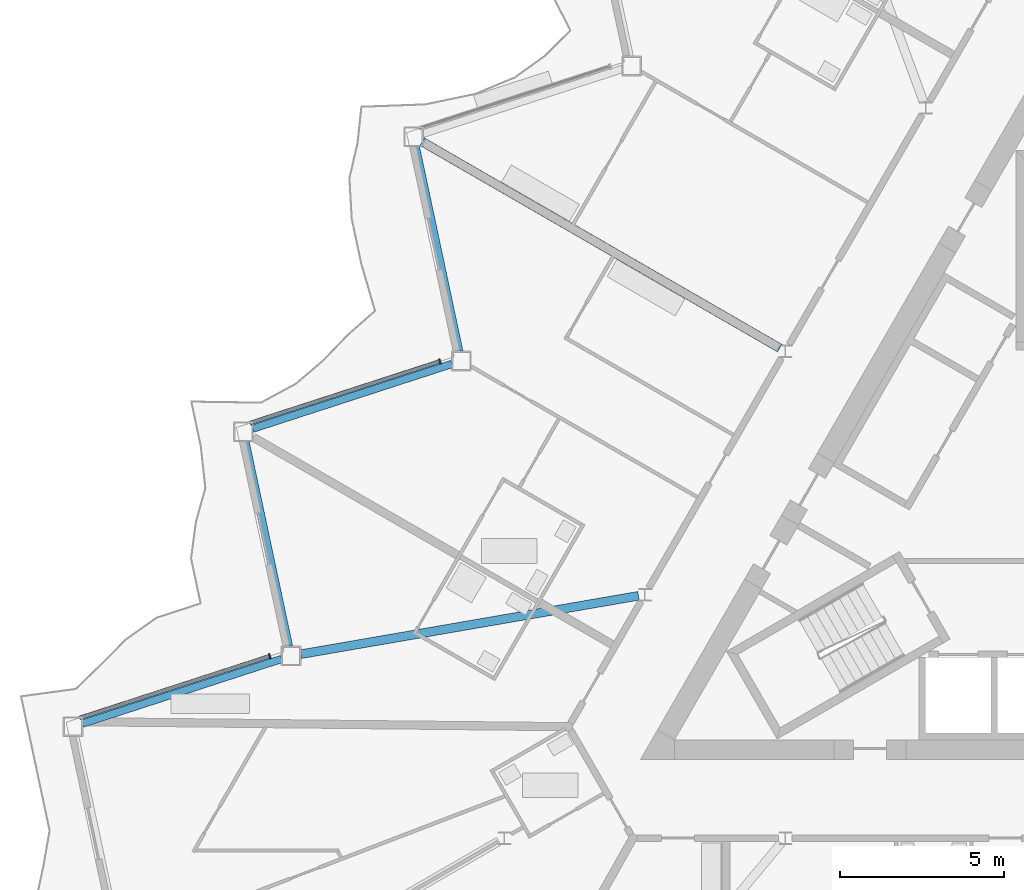
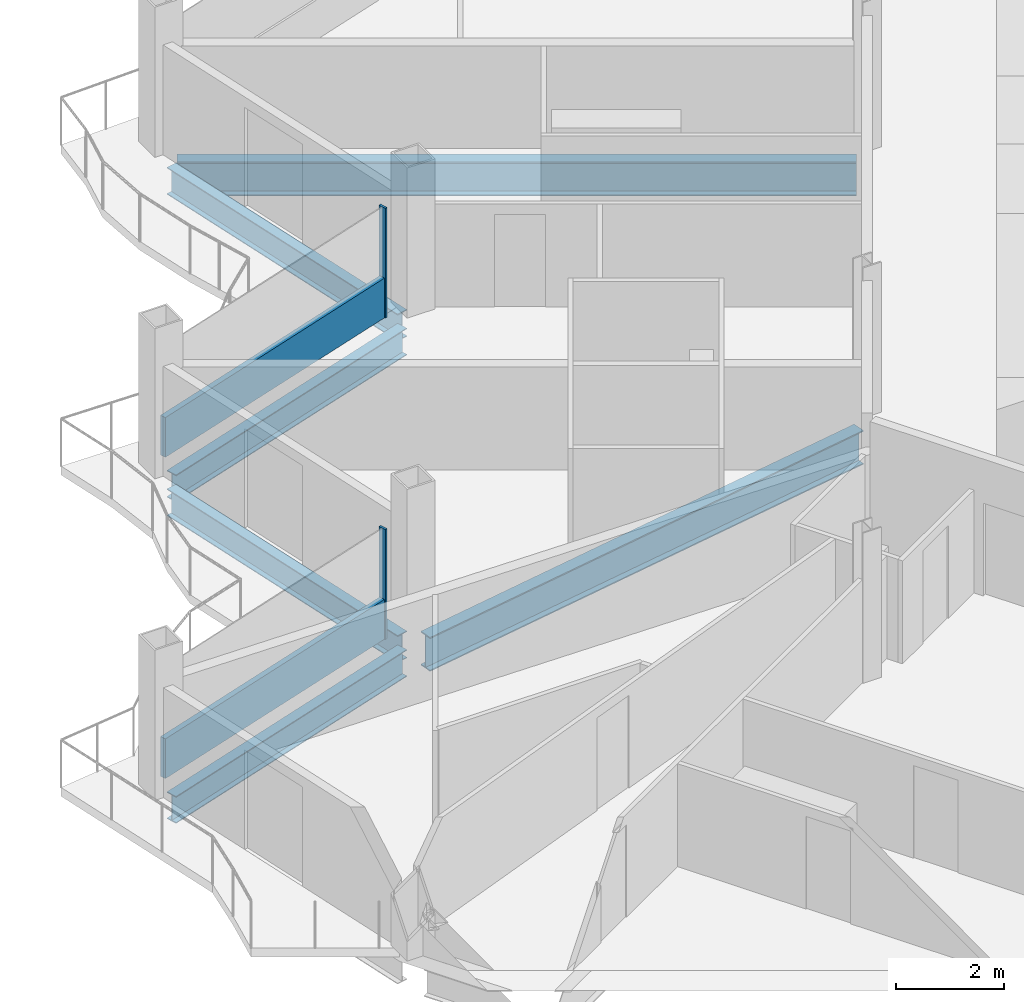
# One storey, part 6 of 27: 6 beams, 4 members, 2 elements without a shape of their own.
"""IFC4 building model written with IfcOpenShell, lengths in metres."""

from ifc_helpers import new_model, si_unit, direction, frame, origin, origin_2d, place, context, subcontext, project, spatial, rectangle, i_section, extrude, material, layer, layer_set, material_profile, profile_set, type_object, element, aggregate, save


model = new_model("IFC4")

# Units and contexts
model_context = context("Model", 3, precision=1e-05, world=origin(), true_north=direction((0.0, 1.0)))
body_context = subcontext(model_context, "Body", "Model", "MODEL_VIEW")
ifc_project = project(units=[si_unit("LENGTHUNIT", "METRE"), si_unit("AREAUNIT", "SQUARE_METRE"), si_unit("VOLUMEUNIT", "CUBIC_METRE"), si_unit("PLANEANGLEUNIT", "RADIAN"), si_unit("MASSUNIT", "GRAM", prefix="KILO")], contexts=[model_context])

# Site, building, storey
site_placement = place(None, origin())
site = spatial("IfcSite", under=ifc_project, at=site_placement, CompositionType="ELEMENT")
building_placement = place(site_placement, origin())
building = spatial("IfcBuilding", under=site, at=building_placement, Name="Cormorant Prow Tower", CompositionType="ELEMENT")
storey_placement = place(building_placement, frame((0.0, 0.0, 332.39990234375)))
storey = spatial("IfcBuildingStorey", under=building, at=storey_placement, Name="L74", CompositionType="ELEMENT", Elevation=332.39990234375)

# Beams
ifc_material_1 = material(Name="Structural steel ASTM A992 Gr 50", Category="steel")
ifc_material_profile_1 = material_profile(ifc_material_1, i_section(OverallWidth=0.267822265625, OverallDepth=0.77001953125, WebThickness=0.015625, FlangeThickness=0.025390625, at=origin_2d()), Name="W30x132")
ifc_profile_set_1 = profile_set([ifc_material_profile_1], Name="Structural steel ASTM A992 Gr 50")
beam_type_1 = type_object("IfcBeamType", Name="Radial floor beam W30x132", PredefinedType="BEAM", material=ifc_profile_set_1)
beam_1_placement = place(storey_placement, frame((-8.749755859375, 5.051513671875, -0.684814453125), z_axis=(-0.866021086443, 0.50000747778, 0.0), x_axis=(-0.50000747778, -0.866021086443, 0.0)))
element("IfcBeam", 1, at=beam_1_placement, inside=storey, type_object=beam_type_1, Name="Radial floor beam FB3 3 L74", PredefinedType="BEAM", context=body_context, shape_type="SweptSolid", body=[
    extrude(i_section(OverallWidth=0.267822265625, OverallDepth=0.77001953125, WebThickness=0.015625, FlangeThickness=0.025390625, at=origin_2d()), origin(), (0.0, 0.0, 1.0), 12.604736328125),
])
beam_2_placement = place(storey_placement, frame((-13.0625, -2.510009765625, -0.684814453125), z_axis=(-0.985379592304, -0.170373293304, 0.0), x_axis=(0.170373293304, -0.985379592304, 0.0)))
element("IfcBeam", 2, at=beam_2_placement, inside=storey, type_object=beam_type_1, Name="Radial floor beam FB3 4 L74", PredefinedType="BEAM", context=body_context, shape_type="SweptSolid", body=[
    extrude(i_section(OverallWidth=0.267822265625, OverallDepth=0.77001953125, WebThickness=0.015625, FlangeThickness=0.025390625, at=origin_2d()), origin(), (0.0, 0.0, 1.0), 10.465087890625),
])

# Curtain wall, member
ifc_material_2 = material(Name="Aluminium 6063-T6", Category="aluminium")
ifc_layer = layer(ifc_material_2, 0.159912109375)
ifc_layer_set = layer_set([ifc_layer], Name="Aluminium 6063-T6")
curtain_wall_type = type_object("IfcCurtainWallType", Name="Residential unitised curtain wall 160", PredefinedType="NOTDEFINED", material=ifc_layer_set)
curtain_wall_1_placement = place(storey_placement, origin())
curtain_wall_1 = element("IfcCurtainWall", 3, at=curtain_wall_1_placement, inside=storey, type_object=curtain_wall_type, Name="Residential curtain wall WNW06", PredefinedType="NOTDEFINED")
ifc_material_3 = material(Name="Aluminium 6063-T6", Category="aluminium")
ifc_material_profile_2 = material_profile(ifc_material_3, rectangle(XDim=0.159912109375, YDim=0.050048828125, at=origin_2d()), Name="Residential mullion 50x160")
ifc_profile_set_2 = profile_set([ifc_material_profile_2], Name="Aluminium 6063-T6")
member_type_1 = type_object("IfcMemberType", Name="Residential mullion 50x160", PredefinedType="MULLION", material=ifc_profile_set_2)
member_1_placement = place(storey_placement, frame((-19.12353515625, 4.64697265625, 0.0), z_axis=(0.0, 0.0, 1.0), x_axis=(0.309017007173, -0.951056512137, 0.0)))
member_1 = element("IfcMember", 4, at=member_1_placement, type_object=member_type_1, Name="Residential mullion WNW06", PredefinedType="MULLION", context=body_context, shape_type="SweptSolid", body=[
    extrude(rectangle(XDim=0.159912109375, YDim=0.050048828125, at=origin_2d()), origin(), (0.0, 0.0, 1.0), 2.488037109375),
])

curtain_wall_2_placement = place(storey_placement, origin())
curtain_wall_2 = element("IfcCurtainWall", 5, at=curtain_wall_2_placement, inside=storey, type_object=curtain_wall_type, Name="Residential curtain wall WNW08", PredefinedType="NOTDEFINED")
member_2_placement = place(storey_placement, frame((-24.31982421875, -4.353271484375, 0.0), z_axis=(0.0, 0.0, 1.0), x_axis=(0.309017007173, -0.951056512137, 0.0)))
member_2 = element("IfcMember", 6, at=member_2_placement, type_object=member_type_1, Name="Residential mullion WNW08", PredefinedType="MULLION", context=body_context, shape_type="SweptSolid", body=[
    extrude(rectangle(XDim=0.159912109375, YDim=0.050048828125, at=origin_2d()), origin(), (0.0, 0.0, 1.0), 2.488037109375),
])

# Member
ifc_material_4 = material(Name="Terracotta", Category="masonry")
ifc_material_profile_3 = material_profile(ifc_material_4, rectangle(XDim=0.1201171875, YDim=0.89990234375, at=origin_2d()), Name="Residential terracotta spandrel rail 120x900")
ifc_profile_set_3 = profile_set([ifc_material_profile_3], Name="Terracotta")
member_type_2 = type_object("IfcMemberType", Name="Residential terracotta spandrel rail 120x900", PredefinedType="USERDEFINED", material=ifc_profile_set_3)
member_3_placement = place(storey_placement, frame((-19.147216796875, 4.63916015625, 0.4501953125), z_axis=(-0.951063305348, -0.308996099037, 0.0), x_axis=(0.308996099037, -0.951063305348, 0.0)))
member_3 = element("IfcMember", 7, at=member_3_placement, type_object=member_type_2, Name="Residential spandrel rail WNW06", ObjectType="TRANSOM", PredefinedType="USERDEFINED", context=body_context, shape_type="SweptSolid", body=[
    extrude(rectangle(XDim=0.1201171875, YDim=0.89990234375, at=origin_2d()), origin(), (0.0, 0.0, 1.0), 6.074462890625),
])

aggregate(curtain_wall_1, [member_1, member_3])

member_4_placement = place(storey_placement, frame((-24.343505859375, -4.361083984375, 0.4501953125), z_axis=(-0.951063305348, -0.308996099037, 0.0), x_axis=(0.308996099037, -0.951063305348, 0.0)))
member_4 = element("IfcMember", 8, at=member_4_placement, type_object=member_type_2, Name="Residential spandrel rail WNW08", ObjectType="TRANSOM", PredefinedType="USERDEFINED", context=body_context, shape_type="SweptSolid", body=[
    extrude(rectangle(XDim=0.1201171875, YDim=0.89990234375, at=origin_2d()), origin(), (0.0, 0.0, 1.0), 6.074462890625),
])

aggregate(curtain_wall_2, [member_2, member_4])

# Beams
ifc_material_5 = material(Name="Structural steel ASTM A992 Gr 50", Category="steel")
ifc_material_profile_4 = material_profile(ifc_material_5, i_section(OverallWidth=0.22900390625, OverallDepth=0.612060546875, WebThickness=0.011962890625, FlangeThickness=0.01953125, at=origin_2d()), Name="W24x84")
ifc_profile_set_4 = profile_set([ifc_material_profile_4], Name="Structural steel ASTM A992 Gr 50")
beam_type_2 = type_object("IfcBeamType", Name="Spandrel beam W24x84", PredefinedType="SPANDREL", material=ifc_profile_set_4)
beam_3_placement = place(storey_placement, frame((-19.86328125, 11.210693359375, -0.60595703125), z_axis=(0.20791262393, -0.978147402394, 0.0), x_axis=(0.978147402394, 0.20791262393, 0.0)))
element("IfcBeam", 9, at=beam_3_placement, inside=storey, type_object=beam_type_2, Name="Spandrel beam SB3 WNW05-WNW06 L74", PredefinedType="SPANDREL", context=body_context, shape_type="SweptSolid", body=[
    extrude(i_section(OverallWidth=0.22900390625, OverallDepth=0.612060546875, WebThickness=0.011962890625, FlangeThickness=0.01953125, at=origin_2d()), origin(), (0.0, 0.0, 1.0), 6.396240234375),
])
beam_4_placement = place(storey_placement, frame((-18.75634765625, 4.568115234375, -0.60595703125), z_axis=(-0.951064359156, -0.308992855489, 0.0), x_axis=(0.308992855489, -0.951064359156, 0.0)))
element("IfcBeam", 10, at=beam_4_placement, inside=storey, type_object=beam_type_2, Name="Spandrel beam SB3 WNW06-WNW07 L74", PredefinedType="SPANDREL", context=body_context, shape_type="SweptSolid", body=[
    extrude(i_section(OverallWidth=0.22900390625, OverallDepth=0.612060546875, WebThickness=0.011962890625, FlangeThickness=0.01953125, at=origin_2d()), origin(), (0.0, 0.0, 1.0), 6.39599609375),
])
beam_5_placement = place(storey_placement, frame((-25.062255859375, 2.20556640625, -0.60595703125), z_axis=(0.20791262393, -0.978147402394, 0.0), x_axis=(0.978147402394, 0.20791262393, 0.0)))
element("IfcBeam", 11, at=beam_5_placement, inside=storey, type_object=beam_type_2, Name="Spandrel beam SB3 WNW07-WNW08 L74", PredefinedType="SPANDREL", context=body_context, shape_type="SweptSolid", body=[
    extrude(i_section(OverallWidth=0.22900390625, OverallDepth=0.612060546875, WebThickness=0.011962890625, FlangeThickness=0.01953125, at=origin_2d()), origin(), (0.0, 0.0, 1.0), 6.396240234375),
])
beam_6_placement = place(storey_placement, frame((-23.955322265625, -4.43701171875, -0.60595703125), z_axis=(-0.951064359156, -0.308992855489, 0.0), x_axis=(0.308992855489, -0.951064359156, 0.0)))
element("IfcBeam", 12, at=beam_6_placement, inside=storey, type_object=beam_type_2, Name="Spandrel beam SB3 WNW08-WNW09 L74", PredefinedType="SPANDREL", context=body_context, shape_type="SweptSolid", body=[
    extrude(i_section(OverallWidth=0.22900390625, OverallDepth=0.612060546875, WebThickness=0.011962890625, FlangeThickness=0.01953125, at=origin_2d()), origin(), (0.0, 0.0, 1.0), 6.39599609375),
])

save(model, "model.ifc")
